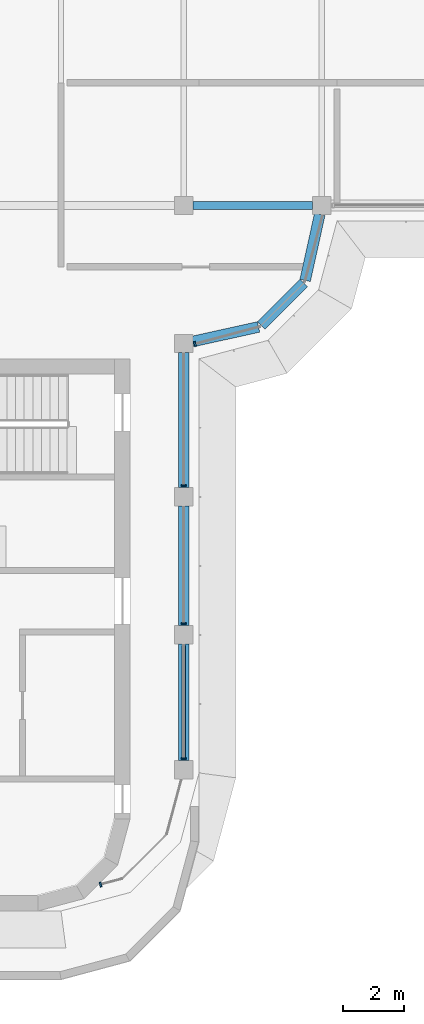
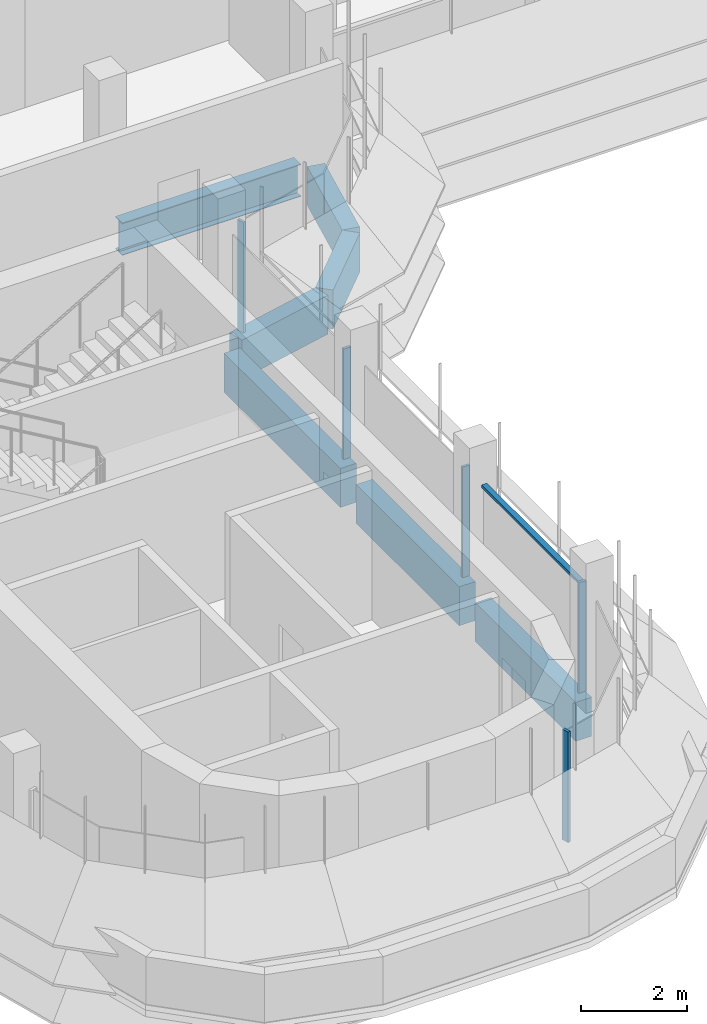
# One storey, part 4 of 20: 7 beams, 6 members, 3 elements without a shape of their own.
"""IFC4 building model written with IfcOpenShell, lengths in metres."""

from ifc_helpers import new_model, si_unit, direction, frame, origin, origin_2d, place, context, subcontext, project, spatial, polyline, rectangle, i_section, outline, extrude, source, transform, mapped, material, material_profile, profile_set, type_object, element, aggregate, save


model = new_model("IFC4")

# Units and contexts
model_context = context("Model", 3, precision=1e-05, world=origin(), true_north=direction((0.0, 1.0)))
body_context = subcontext(model_context, "Body", "Model", "MODEL_VIEW")
ifc_project = project(units=[si_unit("LENGTHUNIT", "METRE"), si_unit("AREAUNIT", "SQUARE_METRE"), si_unit("VOLUMEUNIT", "CUBIC_METRE"), si_unit("PLANEANGLEUNIT", "RADIAN"), si_unit("MASSUNIT", "GRAM", prefix="KILO")], contexts=[model_context])

# Site, building, storey
site_placement = place(None, origin())
site = spatial("IfcSite", under=ifc_project, at=site_placement, CompositionType="ELEMENT")
building_placement = place(site_placement, origin())
building = spatial("IfcBuilding", under=site, at=building_placement, Name="Zarbagh Exchange Tower", CompositionType="ELEMENT")
storey_placement = place(building_placement, frame((0.0, 0.0, 291.60009765625)))
storey = spatial("IfcBuildingStorey", under=building, at=storey_placement, Name="L71", CompositionType="ELEMENT", Elevation=291.60009765625)

# Beams
ifc_material_1 = material(Name="Steel ASTM A992 Gr 50", Category="steel")
ifc_material_profile_1 = material_profile(ifc_material_1, i_section(OverallWidth=0.26416015625, OverallDepth=0.749267578125, WebThickness=0.011962890625, FlangeThickness=0.015380859375, at=origin_2d()), Name="W30X90")
ifc_profile_set_1 = profile_set([ifc_material_profile_1], Name="Steel ASTM A992 Gr 50")
beam_type_1 = type_object("IfcBeamType", Name="Floor girder W30X90", PredefinedType="BEAM", material=ifc_profile_set_1)
beam_1_placement = place(storey_placement, frame((6.550048828125, -6.25, -0.524658203125), z_axis=(1.0, 0.0, 0.0), x_axis=(0.0, 1.0, 0.0)))
element("IfcBeam", 1, at=beam_1_placement, inside=storey, type_object=beam_type_1, Name="Steel girder", PredefinedType="BEAM", context=body_context, shape_type="SweptSolid", body=[
    extrude(i_section(OverallWidth=0.26416015625, OverallDepth=0.749267578125, WebThickness=0.011962890625, FlangeThickness=0.015380859375, at=origin_2d()), origin(), (0.0, 0.0, 1.0), 3.89990234375),
])
ifc_material_2 = material(Name="Concrete C40/50", Category="concrete")
ifc_material_profile_2 = material_profile(ifc_material_2, rectangle(XDim=0.35009765625, YDim=0.89990234375, at=origin_2d()), Name="RC spandrel beam 350 x 900 C40/50")
ifc_profile_set_2 = profile_set([ifc_material_profile_2], Name="Concrete C40/50")
beam_type_2 = type_object("IfcBeamType", Name="RC spandrel beam 350 x 900 C40/50", PredefinedType="SPANDREL", material=ifc_profile_set_2)
beam_2_placement = place(storey_placement, frame((10.685302734375, -6.54296875, -0.60009765625), z_axis=(-0.216025770228, -0.976387662047, 0.0), x_axis=(0.976387662047, -0.216025770228, 0.0)))
element("IfcBeam", 2, at=beam_2_placement, inside=storey, type_object=beam_type_2, Name="RC spandrel beam", PredefinedType="SPANDREL", context=body_context, shape_type="SweptSolid", body=[
    extrude(rectangle(XDim=0.35009765625, YDim=0.89990234375, at=origin_2d()), origin(), (0.0, 0.0, 1.0), 2.200439453125),
])
beam_3_placement = place(storey_placement, frame((10.16259765625, -8.77734375, -0.60009765625), z_axis=(-0.707106781187, -0.707106781187, 0.0), x_axis=(0.707106781187, -0.707106781187, 0.0)))
element("IfcBeam", 3, at=beam_3_placement, inside=storey, type_object=beam_type_2, Name="RC spandrel beam", PredefinedType="SPANDREL", context=body_context, shape_type="SweptSolid", body=[
    extrude(rectangle(XDim=0.35009765625, YDim=0.89990234375, at=origin_2d()), origin(), (0.0, 0.0, 1.0), 1.958984375),
])
beam_4_placement = place(storey_placement, frame((8.69140625, -10.2099609375, -0.60009765625), z_axis=(-0.976387662047, -0.216025770228, 0.0), x_axis=(0.216025770228, -0.976387662047, 0.0)))
element("IfcBeam", 4, at=beam_4_placement, inside=storey, type_object=beam_type_2, Name="RC spandrel beam", PredefinedType="SPANDREL", context=body_context, shape_type="SweptSolid", body=[
    extrude(rectangle(XDim=0.35009765625, YDim=0.89990234375, at=origin_2d()), origin(), (0.0, 0.0, 1.0), 2.200439453125),
])
beam_5_placement = place(storey_placement, frame((6.25, -11.050048828125, -0.60009765625), z_axis=(0.0, -1.0, 0.0), x_axis=(1.0, 0.0, 0.0)))
element("IfcBeam", 5, at=beam_5_placement, inside=storey, type_object=beam_type_2, Name="RC spandrel beam", PredefinedType="SPANDREL", context=body_context, shape_type="SweptSolid", body=[
    extrude(rectangle(XDim=0.35009765625, YDim=0.89990234375, at=origin_2d()), origin(), (0.0, 0.0, 1.0), 4.39990234375),
])
beam_6_placement = place(storey_placement, frame((6.25, -16.050048828125, -0.60009765625), z_axis=(0.0, -1.0, 0.0), x_axis=(1.0, 0.0, 0.0)))
element("IfcBeam", 6, at=beam_6_placement, inside=storey, type_object=beam_type_2, Name="RC spandrel beam", PredefinedType="SPANDREL", context=body_context, shape_type="SweptSolid", body=[
    extrude(rectangle(XDim=0.35009765625, YDim=0.89990234375, at=origin_2d()), origin(), (0.0, 0.0, 1.0), 3.89990234375),
])
beam_7_placement = place(storey_placement, frame((6.25, -20.550048828125, -0.60009765625), z_axis=(0.0, -1.0, 0.0), x_axis=(1.0, 0.0, 0.0)))
element("IfcBeam", 7, at=beam_7_placement, inside=storey, type_object=beam_type_2, Name="RC spandrel beam", PredefinedType="SPANDREL", context=body_context, shape_type="SweptSolid", body=[
    extrude(rectangle(XDim=0.35009765625, YDim=0.89990234375, at=origin_2d()), origin(), (0.0, 0.0, 1.0), 3.800048828125),
])

# Curtain wall, member
ifc_material_3 = material(Name="Anodised aluminium frame and glazing", Category="aluminium")
curtain_wall_type = type_object("IfcCurtainWallType", Name="CWF Crown tier glazing", PredefinedType="NOTDEFINED", material=ifc_material_3)
curtain_wall_1_placement = place(storey_placement, origin())
curtain_wall_1 = element("IfcCurtainWall", 8, at=curtain_wall_1_placement, inside=storey, type_object=curtain_wall_type, Name="CWF04 curtain wall", PredefinedType="NOTDEFINED")
ifc_material_4 = material(Name="Anodised aluminium frame", Category="aluminium")
member_type_1 = type_object("IfcMemberType", Name="TRF Transom, anodised aluminium frame", PredefinedType="USERDEFINED", material=ifc_material_4)
shared_shape_1 = source(origin(), body_context, "Body", "SweptSolid", [
    extrude(outline(polyline([(-0.06005859375, -0.06005859375), (0.0, -0.06005859375), (0.0, 0.06005859375), (-0.06005859375, 0.06005859375), (-0.06005859375, -0.06005859375)])), origin(), (0.0, 0.0, 1.0), 3.659912109375),
])
placement = place(storey_placement, origin())
member_1 = element("IfcMember", 9, at=placement, type_object=member_type_1, Name="CWF04 transom 1.1", ObjectType="TRANSOM", PredefinedType="USERDEFINED", context=body_context, shape_type="MappedRepresentation", body=[
    mapped(shared_shape_1, transform((6.25, -24.25, 2.5498046875), x_axis=(0.0, 0.0, 1.0), y_axis=(1.0, 0.0, 0.0), z_axis=(0.0, 1.0, 0.0))),
])

curtain_wall_2_placement = place(storey_placement, origin())
curtain_wall_2 = element("IfcCurtainWall", 10, at=curtain_wall_2_placement, inside=storey, type_object=curtain_wall_type, Name="CWF01 curtain wall", PredefinedType="NOTDEFINED")
member_type_2 = type_object("IfcMemberType", Name="MUF Mullion, anodised aluminium frame", PredefinedType="MULLION", material=ifc_material_4)
shared_shape_2 = source(origin(), body_context, "Body", "SweptSolid", [
    extrude(outline(polyline([(0.0, -0.080078125), (0.06005859375, -0.080078125), (0.06005859375, 0.080078125), (0.0, 0.080078125), (0.0, -0.080078125)])), origin(), (0.0, 0.0, 1.0), 2.550048828125),
])
member_2 = element("IfcMember", 11, at=placement, type_object=member_type_2, Name="CWF01 mullion 1.1", PredefinedType="MULLION", context=body_context, shape_type="MappedRepresentation", body=[
    mapped(shared_shape_2, transform((3.510009765625, -28.394775390625, 0.0), x_axis=(0.965924289636, 0.258824779902, 0.0), y_axis=(-0.258824779902, 0.965924289636, 0.0), z_axis=(0.0, 0.0, 1.0))),
])
aggregate(curtain_wall_2, [member_2])

# Member
member_3 = element("IfcMember", 12, at=placement, type_object=member_type_2, Name="CWF04 mullion 1.1", PredefinedType="MULLION", context=body_context, shape_type="MappedRepresentation", body=[
    mapped(shared_shape_2, transform((6.25, -24.31005859375, 0.0), x_axis=(0.0, 1.0, 0.0), y_axis=(-1.0, 0.0, 0.0), z_axis=(0.0, 0.0, 1.0))),
])

member_4 = element("IfcMember", 13, at=placement, type_object=member_type_2, Name="CWF04 mullion 2.1", PredefinedType="MULLION", context=body_context, shape_type="MappedRepresentation", body=[
    mapped(shared_shape_2, transform((6.25, -19.909912109375, 0.0), x_axis=(0.0, 1.0, 0.0), y_axis=(-1.0, 0.0, 0.0), z_axis=(0.0, 0.0, 1.0))),
])

member_5 = element("IfcMember", 14, at=placement, type_object=member_type_2, Name="CWF04 mullion 3.1", PredefinedType="MULLION", context=body_context, shape_type="MappedRepresentation", body=[
    mapped(shared_shape_2, transform((6.25, -15.409912109375, 0.0), x_axis=(0.0, 1.0, 0.0), y_axis=(-1.0, 0.0, 0.0), z_axis=(0.0, 0.0, 1.0))),
])

aggregate(curtain_wall_1, [member_3, member_1, member_4, member_5])

# Curtain wall, member
curtain_wall_3_placement = place(storey_placement, origin())
curtain_wall_3 = element("IfcCurtainWall", 15, at=curtain_wall_3_placement, inside=storey, type_object=curtain_wall_type, Name="CWF05 curtain wall", PredefinedType="NOTDEFINED")
member_6 = element("IfcMember", 16, at=placement, type_object=member_type_2, Name="CWF05 mullion 1.1", PredefinedType="MULLION", context=body_context, shape_type="MappedRepresentation", body=[
    mapped(shared_shape_2, transform((6.590087890625, -10.775146484375, 0.0), x_axis=(0.965924289636, 0.258824779902, 0.0), y_axis=(-0.258824779902, 0.965924289636, 0.0), z_axis=(0.0, 0.0, 1.0))),
])
aggregate(curtain_wall_3, [member_6])

save(model, "model.ifc")
